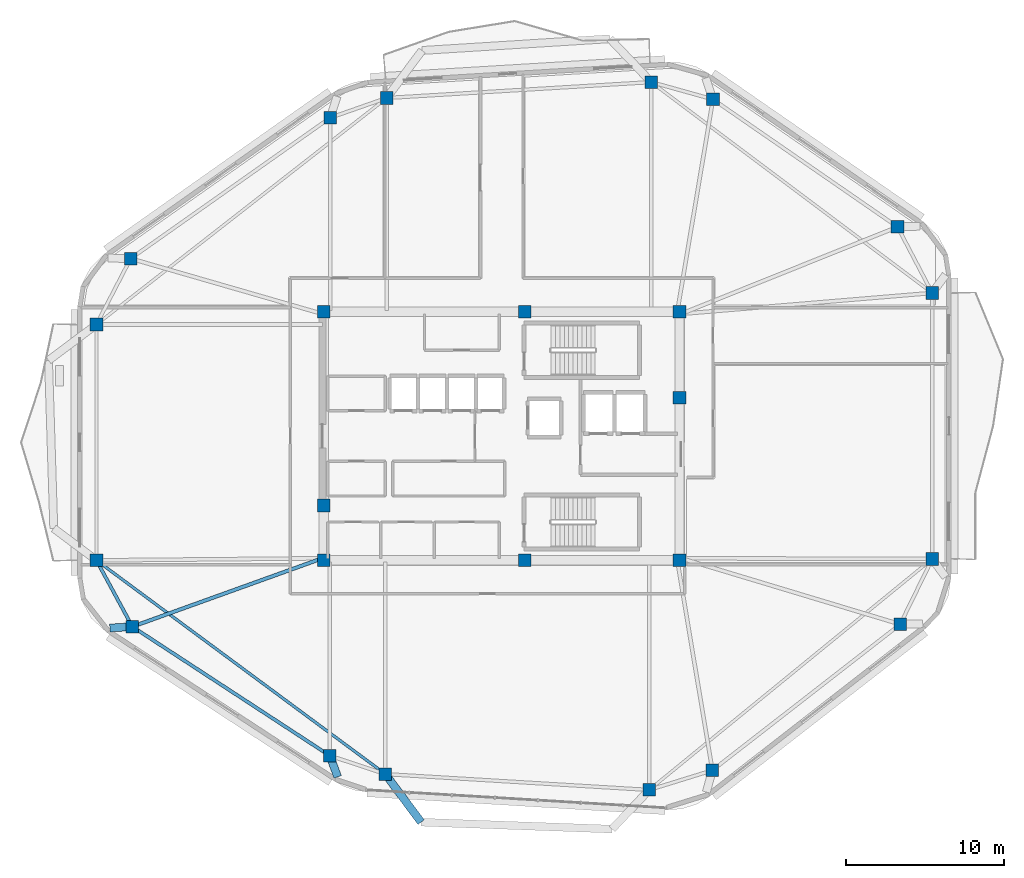
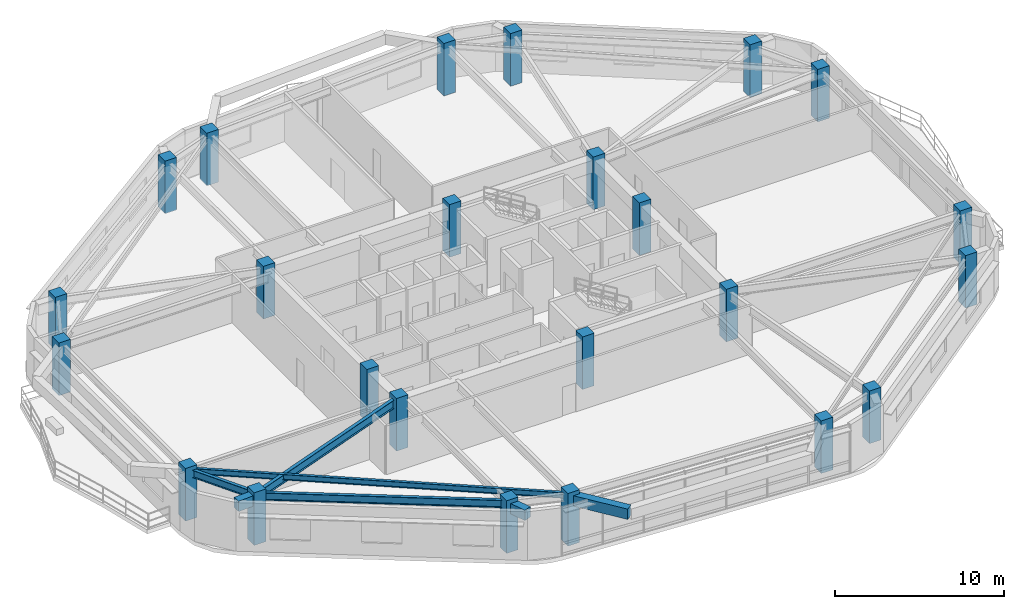
# One storey, part 1 of 12: 24 columns, 7 beams.
"""IFC4 building model written with IfcOpenShell, lengths in metres."""

from ifc_helpers import new_model, si_unit, direction, frame, origin, origin_2d, place, context, subcontext, project, spatial, rectangle, i_section, extrude, material, material_profile, profile_set, type_object, element, save


model = new_model("IFC4")

# Units and contexts
model_context = context("Model", 3, precision=1e-05, world=origin(), true_north=direction((0.0, 1.0)))
body_context = subcontext(model_context, "Body", "Model", "MODEL_VIEW")
ifc_project = project(units=[si_unit("LENGTHUNIT", "METRE"), si_unit("AREAUNIT", "SQUARE_METRE"), si_unit("VOLUMEUNIT", "CUBIC_METRE"), si_unit("PLANEANGLEUNIT", "RADIAN"), si_unit("MASSUNIT", "GRAM", prefix="KILO")], contexts=[model_context])

# Site, building, storey
site_placement = place(None, origin())
site = spatial("IfcSite", under=ifc_project, at=site_placement, CompositionType="ELEMENT")
building_placement = place(site_placement, origin())
building = spatial("IfcBuilding", under=site, at=building_placement, Name="Zulverin Broadcast Headquarters", CompositionType="ELEMENT")
storey_placement = place(building_placement, frame((0.0, 0.0, 255.39990234375)))
storey = spatial("IfcBuildingStorey", under=building, at=storey_placement, Name="L65", CompositionType="ELEMENT", Elevation=255.39990234375)

# Columns
ifc_material_1 = material(Name="Concrete C50/60", Category="concrete")
ifc_material_profile_1 = material_profile(ifc_material_1, rectangle(XDim=0.800048828125, YDim=0.800048828125, at=origin_2d()), Name="Concrete C50/60", Category="concrete")
ifc_profile_set_1 = profile_set([ifc_material_profile_1], Name="Concrete C50/60")
column_type_1 = type_object("IfcColumnType", Name="COL-RC-800", PredefinedType="COLUMN", material=ifc_profile_set_1)
for number, where, z_axis, x_axis, name in (
    (1, (29.6220703125, 3.763671875, 0.0), (0.0, 0.0, 1.0), (1.0, 0.0, 0.0), "L65 Perimeter Column T01"),
    (2, (46.3515625, 2.759521484375, 0.0), (0.0, 0.0, 1.0), (1.0, 0.0, 0.0), "L65 Perimeter Column T02"),
    (3, (50.361083984375, 4.001708984375, 0.0), (0.0, 0.0, 1.0), (1.0, 0.0, 0.0), "L65 Perimeter Column T03"),
    (4, (62.272216796875, 13.262451171875, 0.0), (0.0, 0.0, 1.0), (1.0, 0.0, 0.0), "L65 Perimeter Column T04"),
    (5, (64.300048828125, 17.40771484375, 0.0), (0.0, 0.0, 1.0), (1.0, 0.0, 0.0), "L65 Perimeter Column T05"),
    (6, (64.300048828125, 34.275634765625, 0.0), (0.0, 0.0, 1.0), (1.0, 0.0, 0.0), "L65 Perimeter Column T06"),
    (7, (62.102783203125, 38.465087890625, 0.0), (0.0, 0.0, 1.0), (1.0, 0.0, 0.0), "L65 Perimeter Column T07"),
    (8, (50.39794921875, 46.554443359375, 0.0), (0.0, 0.0, 1.0), (1.0, 0.0, 0.0), "L65 Perimeter Column T08"),
    (9, (46.4814453125, 47.6484375, 0.0), (0.0, 0.0, 1.0), (1.0, 0.0, 0.0), "L65 Perimeter Column T09"),
    (10, (29.70068359375, 46.64111328125, 0.0), (0.0, 0.0, 1.0), (1.0, 0.0, 0.0), "L65 Perimeter Column T10"),
    (11, (26.11474609375, 45.383544921875, 0.0), (0.0, 0.0, 1.0), (1.0, 0.0, 0.0), "L65 Perimeter Column T11"),
    (12, (13.46728515625, 36.457763671875, 0.0), (0.0, 0.0, 1.0), (1.0, 0.0, 0.0), "L65 Perimeter Column T12"),
    (13, (11.300048828125, 32.275390625, 0.0), (0.0, 0.0, 1.0), (1.0, 0.0, 0.0), "L65 Perimeter Column T13"),
    (14, (11.300048828125, 17.318603515625, 0.0), (0.0, 0.0, 1.0), (1.0, 0.0, 0.0), "L65 Perimeter Column T14"),
    (15, (13.576416015625, 13.11181640625, 0.0), (0.0, 0.0, 1.0), (1.0, 0.0, 0.0), "L65 Perimeter Column T15"),
    (16, (26.098876953125, 4.9287109375, 0.0), (0.0, 0.0, 1.0), (1.0, 0.0, 0.0), "L65 Perimeter Column T16"),
):
    element("IfcColumn", number, at=place(storey_placement, frame(where, z_axis=z_axis, x_axis=x_axis)), inside=storey, type_object=column_type_1, Name=name, PredefinedType="COLUMN", context=body_context, shape_type="SweptSolid", body=[
        extrude(rectangle(XDim=0.800048828125, YDim=0.800048828125, at=origin_2d()), origin(), (0.0, 0.0, 1.0), 3.800048828125),
    ])
ifc_material_profile_2 = material_profile(ifc_material_1, rectangle(XDim=0.800048828125, YDim=0.800048828125, at=origin_2d()), Name="Concrete C50/60", Category="concrete")
ifc_profile_set_2 = profile_set([ifc_material_profile_2], Name="Concrete C50/60")
column_type_2 = type_object("IfcColumnType", Name="PIL-RC-800", PredefinedType="PILASTER", material=ifc_profile_set_2)
for number, where, z_axis, x_axis, name in (
    (17, (25.72509765625, 17.324951171875, 0.0), (0.0, 0.0, 1.0), (1.0, 0.0, 0.0), "L65 Core Pilaster K01"),
    (18, (38.449951171875, 17.324951171875, 0.0), (0.0, 0.0, 1.0), (1.0, 0.0, 0.0), "L65 Core Pilaster K02"),
    (19, (48.27490234375, 17.324951171875, 0.0), (0.0, 0.0, 1.0), (1.0, 0.0, 0.0), "L65 Core Pilaster K03"),
    (20, (48.27490234375, 27.6201171875, 0.0), (0.0, 0.0, 1.0), (1.0, 0.0, 0.0), "L65 Core Pilaster K04"),
    (21, (48.27490234375, 33.074951171875, 0.0), (0.0, 0.0, 1.0), (1.0, 0.0, 0.0), "L65 Core Pilaster K05"),
    (22, (38.449951171875, 33.074951171875, 0.0), (0.0, 0.0, 1.0), (1.0, 0.0, 0.0), "L65 Core Pilaster K06"),
    (23, (25.72509765625, 33.074951171875, 0.0), (0.0, 0.0, 1.0), (1.0, 0.0, 0.0), "L65 Core Pilaster K07"),
    (24, (25.72509765625, 20.800048828125, 0.0), (0.0, 0.0, 1.0), (1.0, 0.0, 0.0), "L65 Core Pilaster K08"),
):
    element("IfcColumn", number, at=place(storey_placement, frame(where, z_axis=z_axis, x_axis=x_axis)), inside=storey, type_object=column_type_2, Name=name, PredefinedType="PILASTER", context=body_context, shape_type="SweptSolid", body=[
        extrude(rectangle(XDim=0.800048828125, YDim=0.800048828125, at=origin_2d()), origin(), (0.0, 0.0, 1.0), 3.800048828125),
    ])

# Beams
ifc_material_2 = material(Name="Concrete C40/50", Category="concrete")
ifc_material_profile_3 = material_profile(ifc_material_2, rectangle(XDim=0.5, YDim=0.75, at=origin_2d()), Name="Concrete C40/50", Category="concrete")
ifc_profile_set_3 = profile_set([ifc_material_profile_3], Name="Concrete C40/50")
beam_type_1 = type_object("IfcBeamType", Name="BM-RC-500x750", PredefinedType="BEAM", material=ifc_profile_set_3)
beam_1_placement = place(storey_placement, frame((13.576416015625, 13.11181640625, 3.135009765625), z_axis=(-0.998333895448, -0.057701240879, 0.0), x_axis=(0.057701240879, -0.998333895448, 0.0)))
element("IfcBeam", 25, at=beam_1_placement, inside=storey, type_object=beam_type_1, Name="L66 Plate Overhang Back-Spanned Beam OVR-15", PredefinedType="BEAM", context=body_context, shape_type="SweptSolid", body=[
    extrude(rectangle(XDim=0.5, YDim=0.75, at=origin_2d()), origin(), (0.0, 0.0, 1.0), 1.43017578125),
])
beam_2_placement = place(storey_placement, frame((26.098876953125, 4.9287109375, 3.135009765625), z_axis=(0.348109371259, -0.93745392721, 0.0), x_axis=(0.93745392721, 0.348109371259, 0.0)))
element("IfcBeam", 26, at=beam_2_placement, inside=storey, type_object=beam_type_1, Name="L66 Plate Overhang Back-Spanned Beam OVR-16", PredefinedType="BEAM", context=body_context, shape_type="SweptSolid", body=[
    extrude(rectangle(XDim=0.5, YDim=0.75, at=origin_2d()), origin(), (0.0, 0.0, 1.0), 1.429931640625),
])
beam_3_placement = place(storey_placement, frame((29.6220703125, 3.763671875, 3.135009765625), z_axis=(0.596540448304, -0.802583013486, 0.0), x_axis=(0.802583013486, 0.596540448304, 0.0)))
element("IfcBeam", 27, at=beam_3_placement, inside=storey, type_object=beam_type_1, Name="L66 Balcony Column-Framed Cantilever BAL_S-1", PredefinedType="BEAM", context=body_context, shape_type="SweptSolid", body=[
    extrude(rectangle(XDim=0.5, YDim=0.75, at=origin_2d()), origin(), (0.0, 0.0, 1.0), 3.800048828125),
])
ifc_material_3 = material(Name="Structural steel S355JR", Category="steel")
ifc_material_profile_4 = material_profile(ifc_material_3, i_section(OverallWidth=0.179443359375, OverallDepth=0.412841796875, WebThickness=0.009521484375, FlangeThickness=0.01611328125, at=origin_2d()), Name="Structural steel S355JR", Category="steel")
ifc_profile_set_4 = profile_set([ifc_material_profile_4], Name="Structural steel S355JR")
beam_type_2 = type_object("IfcBeamType", Name="BM-UB-406", PredefinedType="JOIST", material=ifc_profile_set_4)
beam_4_placement = place(storey_placement, frame((11.300048828125, 17.318603515625, 3.3037109375), z_axis=(0.803912476144, -0.594747619332, 0.0), x_axis=(0.594747619332, 0.803912476144, 0.0)))
element("IfcBeam", 28, at=beam_4_placement, inside=storey, type_object=beam_type_2, Name="L65 Chordal Floor Joist J-04", PredefinedType="JOIST", context=body_context, shape_type="SweptSolid", body=[
    extrude(i_section(OverallWidth=0.179443359375, OverallDepth=0.412841796875, WebThickness=0.009521484375, FlangeThickness=0.01611328125, at=origin_2d()), origin(), (0.0, 0.0, 1.0), 22.791015625),
])
ifc_material_profile_5 = material_profile(ifc_material_3, i_section(OverallWidth=0.2119140625, OverallDepth=0.54443359375, WebThickness=0.0126953125, FlangeThickness=0.021240234375, at=origin_2d()), Name="Structural steel S355JR", Category="steel")
ifc_profile_set_5 = profile_set([ifc_material_profile_5], Name="Structural steel S355JR")
beam_type_3 = type_object("IfcBeamType", Name="BM-UB-533", PredefinedType="SPANDREL", material=ifc_profile_set_5)
beam_5_placement = place(storey_placement, frame((11.300048828125, 17.318603515625, 3.23779296875), z_axis=(0.475909852672, -0.879494066, 0.0), x_axis=(0.879494066, 0.475909852672, 0.0)))
element("IfcBeam", 29, at=beam_5_placement, inside=storey, type_object=beam_type_3, Name="L65 Perimeter Spandrel Beam SP-14", PredefinedType="SPANDREL", context=body_context, shape_type="SweptSolid", body=[
    extrude(i_section(OverallWidth=0.2119140625, OverallDepth=0.54443359375, WebThickness=0.0126953125, FlangeThickness=0.021240234375, at=origin_2d()), origin(), (0.0, 0.0, 1.0), 4.783203125),
])
beam_6_placement = place(storey_placement, frame((13.576416015625, 13.11181640625, 3.23779296875), z_axis=(0.837112191398, -0.547031241349, 0.0), x_axis=(0.547031241349, 0.837112191398, 0.0)))
element("IfcBeam", 30, at=beam_6_placement, inside=storey, type_object=beam_type_3, Name="L65 Perimeter Spandrel Beam SP-15", PredefinedType="SPANDREL", context=body_context, shape_type="SweptSolid", body=[
    extrude(i_section(OverallWidth=0.2119140625, OverallDepth=0.54443359375, WebThickness=0.0126953125, FlangeThickness=0.021240234375, at=origin_2d()), origin(), (0.0, 0.0, 1.0), 14.959228515625),
])
ifc_material_profile_6 = material_profile(ifc_material_3, i_section(OverallWidth=0.230224609375, OverallDepth=0.6171875, WebThickness=0.01318359375, FlangeThickness=0.022216796875, at=origin_2d()), Name="Structural steel S355JR", Category="steel")
ifc_profile_set_6 = profile_set([ifc_material_profile_6], Name="Structural steel S355JR")
beam_type_4 = type_object("IfcBeamType", Name="BM-UB-610", PredefinedType="BEAM", material=ifc_profile_set_6)
beam_7_placement = place(storey_placement, frame((25.625, 17.449951171875, 3.201416015625), z_axis=(-0.940871370382, -0.338764024646, 0.0), x_axis=(0.338764024646, -0.940871370382, 0.0)))
element("IfcBeam", 31, at=beam_7_placement, inside=storey, type_object=beam_type_4, Name="L65 Radial Primary Floor Beam RB-15", PredefinedType="BEAM", context=body_context, shape_type="SweptSolid", body=[
    extrude(i_section(OverallWidth=0.230224609375, OverallDepth=0.6171875, WebThickness=0.01318359375, FlangeThickness=0.022216796875, at=origin_2d()), origin(), (0.0, 0.0, 1.0), 12.8056640625),
])

save(model, "model.ifc")
